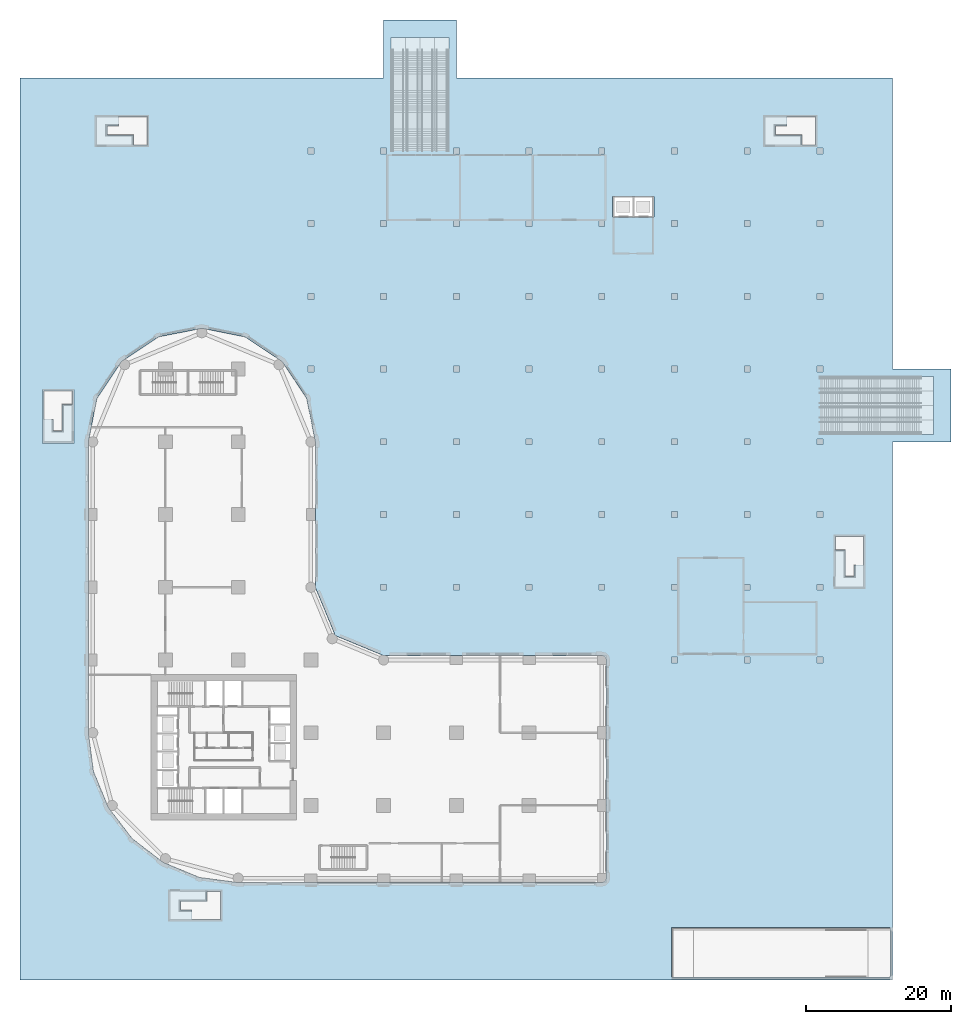
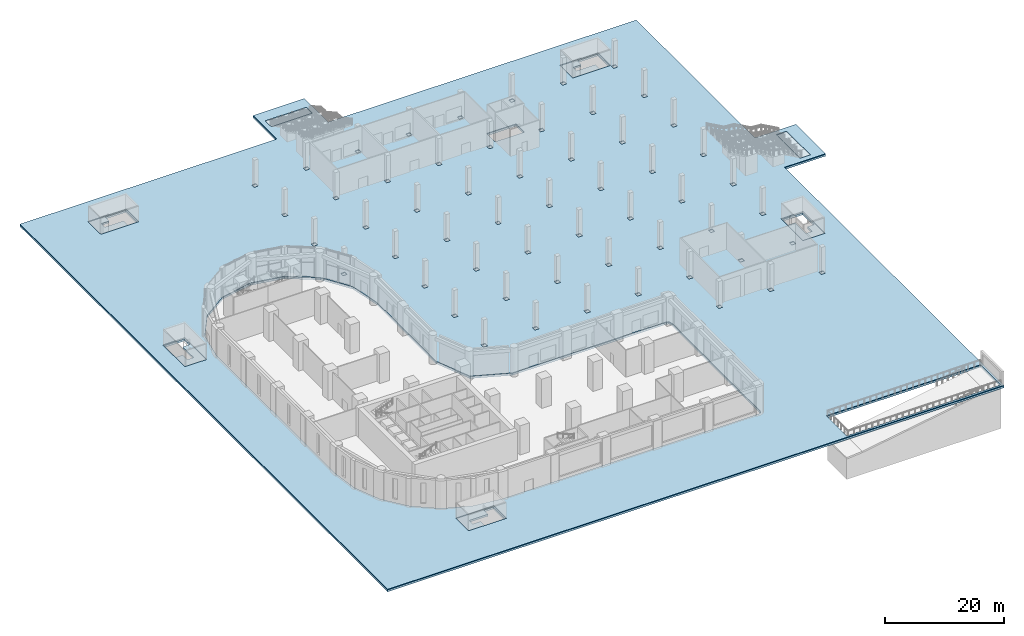
# One storey, part 5 of 21: 2 slabs.
"""IFC4 building model written with IfcOpenShell, lengths in metres."""

from ifc_helpers import new_model, si_unit, direction, frame, origin, place, context, subcontext, project, spatial, polyline, outline, extrude, material, layer, layer_set, type_object, element, save


model = new_model("IFC4")

# Units and contexts
model_context = context("Model", 3, precision=1e-05, world=origin(), true_north=direction((0.0, 1.0)))
body_context = subcontext(model_context, "Body", "Model", "MODEL_VIEW")
ifc_project = project(units=[si_unit("LENGTHUNIT", "METRE"), si_unit("AREAUNIT", "SQUARE_METRE"), si_unit("VOLUMEUNIT", "CUBIC_METRE"), si_unit("PLANEANGLEUNIT", "RADIAN"), si_unit("MASSUNIT", "GRAM", prefix="KILO")], contexts=[model_context])

# Site, building, storey
site_placement = place(None, origin())
site = spatial("IfcSite", under=ifc_project, at=site_placement, CompositionType="ELEMENT")
building_placement = place(site_placement, origin())
building = spatial("IfcBuilding", under=site, at=building_placement, Name="Qaws Garden Tower", CompositionType="ELEMENT")
storey_placement = place(building_placement, origin())
storey = spatial("IfcBuildingStorey", under=building, at=storey_placement, Name="L00", CompositionType="ELEMENT", Elevation=0.0)

# Slabs
ifc_material_1 = material(Name="Concrete C40", Category="concrete")
ifc_layer_1 = layer(ifc_material_1, 0.39990234375)
ifc_layer_set_1 = layer_set([ifc_layer_1], Name="Concrete C40")
slab_type_1 = type_object("IfcSlabType", Name="Ground slab 400", PredefinedType="FLOOR", material=ifc_layer_set_1)
slab_1_placement = place(storey_placement, frame((0.0, 0.0, -0.5)))
element("IfcSlab", 1, at=slab_1_placement, inside=storey, type_object=slab_type_1, Name="Ground slab", PredefinedType="FLOOR", context=body_context, shape_type="SweptSolid", body=[
    extrude(outline(polyline([(-10.0, -14.0), (110.0, -14.0), (110.0, 60.0), (118.0, 60.0), (118.0, 70.0), (110.0, 70.0), (110.0, 110.0), (50.0, 110.0), (50.0, 118.0), (40.0, 118.0), (40.0, 110.0), (-10.0, 110.0), (-10.0, -14.0)]), holes=[polyline([(79.60009765625, -6.800048828125), (79.60009765625, -13.60009765625), (109.60009765625, -13.60009765625), (109.60009765625, -6.800048828125), (79.60009765625, -6.800048828125)]), polyline([(13.659912109375, -5.699951171875), (15.739990234375, -5.699951171875), (17.60009765625, -5.699951171875), (17.60009765625, -4.39990234375), (17.60009765625, -3.199951171875), (17.60009765625, -1.800048828125), (15.739990234375, -1.800048828125), (15.739990234375, -3.199951171875), (12.10009765625, -3.199951171875), (12.10009765625, -4.39990234375), (13.659912109375, -4.39990234375), (13.659912109375, -5.699951171875)]), polyline([(-0.60009765625, 20.0), (0.101806640625, 14.668212890625), (2.159912109375, 9.699951171875), (5.43359375, 5.43359375), (9.699951171875, 2.159912109375), (14.668212890625, 0.101806640625), (20.0, -0.60009765625), (30.60009765625, -0.60009765625), (70.0, -0.60009765625), (70.42431640625, -0.42431640625), (70.60009765625, 0.0), (70.60009765625, 30.0), (70.42431640625, 30.42431640625), (70.0, 30.60009765625), (40.0, 30.60009765625), (33.353271484375, 33.353271484375), (30.60009765625, 40.0), (30.60009765625, 60.0), (29.41259765625, 65.969970703125), (26.031005859375, 71.031005859375), (20.969970703125, 74.41259765625), (15.0, 75.60009765625), (9.030029296875, 74.41259765625), (3.968994140625, 71.031005859375), (0.58740234375, 65.969970703125), (-0.60009765625, 60.0), (-0.60009765625, 60.0), (-0.60009765625, 30.60009765625), (-0.60009765625, 20.0)]), polyline([(102.10009765625, 47.0), (102.10009765625, 45.139892578125), (103.5, 45.139892578125), (103.5, 41.5), (104.699951171875, 41.5), (104.699951171875, 43.06005859375), (106.0, 43.06005859375), (106.0, 45.139892578125), (106.0, 47.0), (104.699951171875, 47.0), (103.5, 47.0), (102.10009765625, 47.0)]), polyline([(-5.39990234375, 63.06005859375), (-5.39990234375, 61.5), (-4.199951171875, 61.5), (-4.199951171875, 65.139892578125), (-2.800048828125, 65.139892578125), (-2.800048828125, 67.0), (-4.199951171875, 67.0), (-5.39990234375, 67.0), (-6.699951171875, 67.0), (-6.699951171875, 65.139892578125), (-6.699951171875, 63.06005859375), (-5.39990234375, 63.06005859375)]), polyline([(71.5, 93.699951171875), (71.5, 90.89990234375), (77.14990234375, 90.89990234375), (77.14990234375, 93.699951171875), (71.5, 93.699951171875)]), polyline([(5.639892578125, 102.199951171875), (5.639892578125, 100.800048828125), (7.5, 100.800048828125), (7.5, 102.199951171875), (7.5, 103.39990234375), (7.5, 104.699951171875), (5.639892578125, 104.699951171875), (3.56005859375, 104.699951171875), (3.56005859375, 103.39990234375), (2.0, 103.39990234375), (2.0, 102.199951171875), (5.639892578125, 102.199951171875)]), polyline([(97.5400390625, 102.199951171875), (97.5400390625, 100.800048828125), (99.39990234375, 100.800048828125), (99.39990234375, 102.199951171875), (99.39990234375, 103.39990234375), (99.39990234375, 104.699951171875), (97.5400390625, 104.699951171875), (95.4599609375, 104.699951171875), (95.4599609375, 103.39990234375), (93.89990234375, 103.39990234375), (93.89990234375, 102.199951171875), (97.5400390625, 102.199951171875)])]), origin(), (0.0, 0.0, 1.0), 0.39990234375),
])
ifc_material_2 = material(Name="Granite paving", Category="masonry")
ifc_layer_2 = layer(ifc_material_2, 0.10009765625)
ifc_layer_set_2 = layer_set([ifc_layer_2], Name="Granite paving")
slab_type_2 = type_object("IfcSlabType", Name="Paving 100", PredefinedType="FLOOR", material=ifc_layer_set_2)
slab_2_placement = place(storey_placement, frame((0.0, 0.0, -0.10009765625)))
element("IfcSlab", 2, at=slab_2_placement, inside=storey, type_object=slab_type_2, Name="Street paving", PredefinedType="FLOOR", context=body_context, shape_type="SweptSolid", body=[
    extrude(outline(polyline([(-10.0, -14.0), (110.0, -14.0), (110.0, 60.0), (118.0, 60.0), (118.0, 70.0), (110.0, 70.0), (110.0, 110.0), (50.0, 110.0), (50.0, 118.0), (40.0, 118.0), (40.0, 110.0), (-10.0, 110.0), (-10.0, -14.0)]), holes=[polyline([(79.60009765625, -13.60009765625), (109.60009765625, -13.60009765625), (109.60009765625, -6.800048828125), (79.60009765625, -6.800048828125), (79.60009765625, -13.60009765625)]), polyline([(70.42431640625, -0.42431640625), (70.60009765625, 0.0), (70.60009765625, 30.0), (70.42431640625, 30.42431640625), (70.0, 30.60009765625), (40.0, 30.60009765625), (33.353271484375, 33.353271484375), (30.60009765625, 40.0), (30.60009765625, 60.0), (29.41259765625, 65.969970703125), (26.031005859375, 71.031005859375), (20.969970703125, 74.41259765625), (15.0, 75.60009765625), (9.030029296875, 74.41259765625), (3.968994140625, 71.031005859375), (0.58740234375, 65.969970703125), (-0.60009765625, 60.0), (-0.60009765625, 60.0), (-0.60009765625, 30.60009765625), (-0.60009765625, 20.0), (0.101806640625, 14.668212890625), (2.159912109375, 9.699951171875), (5.43359375, 5.43359375), (9.699951171875, 2.159912109375), (14.668212890625, 0.101806640625), (20.0, -0.60009765625), (30.60009765625, -0.60009765625), (70.0, -0.60009765625), (70.42431640625, -0.42431640625)]), polyline([(71.5, 90.89990234375), (77.14990234375, 90.89990234375), (77.14990234375, 93.699951171875), (71.5, 93.699951171875), (71.5, 90.89990234375)]), polyline([(17.800048828125, -1.60009765625), (10.39990234375, -1.60009765625), (10.39990234375, -5.89990234375), (17.800048828125, -5.89990234375), (17.800048828125, -1.60009765625)]), polyline([(39.60009765625, 39.60009765625), (40.39990234375, 39.60009765625), (40.39990234375, 40.39990234375), (39.60009765625, 40.39990234375), (39.60009765625, 39.60009765625)]), polyline([(49.60009765625, 39.60009765625), (50.39990234375, 39.60009765625), (50.39990234375, 40.39990234375), (49.60009765625, 40.39990234375), (49.60009765625, 39.60009765625)]), polyline([(39.60009765625, 49.60009765625), (40.39990234375, 49.60009765625), (40.39990234375, 50.39990234375), (39.60009765625, 50.39990234375), (39.60009765625, 49.60009765625)]), polyline([(49.60009765625, 49.60009765625), (50.39990234375, 49.60009765625), (50.39990234375, 50.39990234375), (49.60009765625, 50.39990234375), (49.60009765625, 49.60009765625)]), polyline([(49.60009765625, 59.60009765625), (50.39990234375, 59.60009765625), (50.39990234375, 60.39990234375), (49.60009765625, 60.39990234375), (49.60009765625, 59.60009765625)]), polyline([(39.60009765625, 59.60009765625), (40.39990234375, 59.60009765625), (40.39990234375, 60.39990234375), (39.60009765625, 60.39990234375), (39.60009765625, 59.60009765625)]), polyline([(-6.89990234375, 67.199951171875), (-6.89990234375, 59.800048828125), (-2.60009765625, 59.800048828125), (-2.60009765625, 67.199951171875), (-6.89990234375, 67.199951171875)]), polyline([(29.60009765625, 69.60009765625), (30.39990234375, 69.60009765625), (30.39990234375, 70.39990234375), (29.60009765625, 70.39990234375), (29.60009765625, 69.60009765625)]), polyline([(39.60009765625, 69.60009765625), (40.39990234375, 69.60009765625), (40.39990234375, 70.39990234375), (39.60009765625, 70.39990234375), (39.60009765625, 69.60009765625)]), polyline([(49.60009765625, 69.60009765625), (50.39990234375, 69.60009765625), (50.39990234375, 70.39990234375), (49.60009765625, 70.39990234375), (49.60009765625, 69.60009765625)]), polyline([(29.60009765625, 79.60009765625), (30.39990234375, 79.60009765625), (30.39990234375, 80.39990234375), (29.60009765625, 80.39990234375), (29.60009765625, 79.60009765625)]), polyline([(49.60009765625, 79.60009765625), (50.39990234375, 79.60009765625), (50.39990234375, 80.39990234375), (49.60009765625, 80.39990234375), (49.60009765625, 79.60009765625)]), polyline([(39.60009765625, 79.60009765625), (40.39990234375, 79.60009765625), (40.39990234375, 80.39990234375), (39.60009765625, 80.39990234375), (39.60009765625, 79.60009765625)]), polyline([(49.60009765625, 89.60009765625), (50.39990234375, 89.60009765625), (50.39990234375, 90.39990234375), (49.60009765625, 90.39990234375), (49.60009765625, 89.60009765625)]), polyline([(40.39990234375, 89.60009765625), (40.39990234375, 90.39990234375), (39.60009765625, 90.39990234375), (39.60009765625, 89.60009765625), (40.39990234375, 89.60009765625)]), polyline([(29.60009765625, 89.60009765625), (30.39990234375, 89.60009765625), (30.39990234375, 90.39990234375), (29.60009765625, 90.39990234375), (29.60009765625, 89.60009765625)]), polyline([(39.60009765625, 99.60009765625), (40.39990234375, 99.60009765625), (40.39990234375, 100.39990234375), (39.60009765625, 100.39990234375), (39.60009765625, 99.60009765625)]), polyline([(49.60009765625, 99.60009765625), (50.39990234375, 99.60009765625), (50.39990234375, 100.39990234375), (49.60009765625, 100.39990234375), (49.60009765625, 99.60009765625)]), polyline([(29.60009765625, 99.60009765625), (30.39990234375, 99.60009765625), (30.39990234375, 100.39990234375), (29.60009765625, 100.39990234375), (29.60009765625, 99.60009765625)]), polyline([(7.699951171875, 104.89990234375), (0.300048828125, 104.89990234375), (0.300048828125, 100.60009765625), (7.699951171875, 100.60009765625), (7.699951171875, 104.89990234375)]), polyline([(79.60009765625, 29.60009765625), (80.39990234375, 29.60009765625), (80.39990234375, 30.39990234375), (79.60009765625, 30.39990234375), (79.60009765625, 29.60009765625)]), polyline([(79.60009765625, 39.60009765625), (80.39990234375, 39.60009765625), (80.39990234375, 40.39990234375), (79.60009765625, 40.39990234375), (79.60009765625, 39.60009765625)]), polyline([(59.60009765625, 39.60009765625), (60.39990234375, 39.60009765625), (60.39990234375, 40.39990234375), (59.60009765625, 40.39990234375), (59.60009765625, 39.60009765625)]), polyline([(69.60009765625, 39.60009765625), (70.39990234375, 39.60009765625), (70.39990234375, 40.39990234375), (69.60009765625, 40.39990234375), (69.60009765625, 39.60009765625)]), polyline([(69.60009765625, 49.60009765625), (70.39990234375, 49.60009765625), (70.39990234375, 50.39990234375), (69.60009765625, 50.39990234375), (69.60009765625, 49.60009765625)]), polyline([(79.60009765625, 49.60009765625), (80.39990234375, 49.60009765625), (80.39990234375, 50.39990234375), (79.60009765625, 50.39990234375), (79.60009765625, 49.60009765625)]), polyline([(59.60009765625, 49.60009765625), (60.39990234375, 49.60009765625), (60.39990234375, 50.39990234375), (59.60009765625, 50.39990234375), (59.60009765625, 49.60009765625)]), polyline([(59.60009765625, 59.60009765625), (60.39990234375, 59.60009765625), (60.39990234375, 60.39990234375), (59.60009765625, 60.39990234375), (59.60009765625, 59.60009765625)]), polyline([(69.60009765625, 59.60009765625), (70.39990234375, 59.60009765625), (70.39990234375, 60.39990234375), (69.60009765625, 60.39990234375), (69.60009765625, 59.60009765625)]), polyline([(80.39990234375, 59.60009765625), (80.39990234375, 60.39990234375), (79.60009765625, 60.39990234375), (79.60009765625, 59.60009765625), (80.39990234375, 59.60009765625)]), polyline([(69.60009765625, 69.60009765625), (70.39990234375, 69.60009765625), (70.39990234375, 70.39990234375), (69.60009765625, 70.39990234375), (69.60009765625, 69.60009765625)]), polyline([(59.60009765625, 69.60009765625), (60.39990234375, 69.60009765625), (60.39990234375, 70.39990234375), (59.60009765625, 70.39990234375), (59.60009765625, 69.60009765625)]), polyline([(79.60009765625, 69.60009765625), (80.39990234375, 69.60009765625), (80.39990234375, 70.39990234375), (79.60009765625, 70.39990234375), (79.60009765625, 69.60009765625)]), polyline([(69.60009765625, 79.60009765625), (70.39990234375, 79.60009765625), (70.39990234375, 80.39990234375), (69.60009765625, 80.39990234375), (69.60009765625, 79.60009765625)]), polyline([(59.60009765625, 79.60009765625), (60.39990234375, 79.60009765625), (60.39990234375, 80.39990234375), (59.60009765625, 80.39990234375), (59.60009765625, 79.60009765625)]), polyline([(59.60009765625, 89.60009765625), (60.39990234375, 89.60009765625), (60.39990234375, 90.39990234375), (59.60009765625, 90.39990234375), (59.60009765625, 89.60009765625)]), polyline([(69.60009765625, 89.60009765625), (70.39990234375, 89.60009765625), (70.39990234375, 90.39990234375), (69.60009765625, 90.39990234375), (69.60009765625, 89.60009765625)]), polyline([(79.60009765625, 89.60009765625), (80.39990234375, 89.60009765625), (80.39990234375, 90.39990234375), (79.60009765625, 90.39990234375), (79.60009765625, 89.60009765625)]), polyline([(69.60009765625, 99.60009765625), (70.39990234375, 99.60009765625), (70.39990234375, 100.39990234375), (69.60009765625, 100.39990234375), (69.60009765625, 99.60009765625)]), polyline([(79.60009765625, 99.60009765625), (80.39990234375, 99.60009765625), (80.39990234375, 100.39990234375), (79.60009765625, 100.39990234375), (79.60009765625, 99.60009765625)]), polyline([(59.60009765625, 99.60009765625), (60.39990234375, 99.60009765625), (60.39990234375, 100.39990234375), (59.60009765625, 100.39990234375), (59.60009765625, 99.60009765625)]), polyline([(89.60009765625, 29.60009765625), (90.39990234375, 29.60009765625), (90.39990234375, 30.39990234375), (89.60009765625, 30.39990234375), (89.60009765625, 29.60009765625)]), polyline([(99.60009765625, 29.60009765625), (100.39990234375, 29.60009765625), (100.39990234375, 30.39990234375), (99.60009765625, 30.39990234375), (99.60009765625, 29.60009765625)]), polyline([(89.60009765625, 39.60009765625), (90.39990234375, 39.60009765625), (90.39990234375, 40.39990234375), (89.60009765625, 40.39990234375), (89.60009765625, 39.60009765625)]), polyline([(99.60009765625, 39.60009765625), (100.39990234375, 39.60009765625), (100.39990234375, 40.39990234375), (99.60009765625, 40.39990234375), (99.60009765625, 39.60009765625)]), polyline([(106.199951171875, 47.199951171875), (101.89990234375, 47.199951171875), (101.89990234375, 39.800048828125), (106.199951171875, 39.800048828125), (106.199951171875, 47.199951171875)]), polyline([(99.60009765625, 49.60009765625), (100.39990234375, 49.60009765625), (100.39990234375, 50.39990234375), (99.60009765625, 50.39990234375), (99.60009765625, 49.60009765625)]), polyline([(89.60009765625, 49.60009765625), (90.39990234375, 49.60009765625), (90.39990234375, 50.39990234375), (89.60009765625, 50.39990234375), (89.60009765625, 49.60009765625)]), polyline([(89.60009765625, 59.60009765625), (90.39990234375, 59.60009765625), (90.39990234375, 60.39990234375), (89.60009765625, 60.39990234375), (89.60009765625, 59.60009765625)]), polyline([(99.60009765625, 59.60009765625), (100.39990234375, 59.60009765625), (100.39990234375, 60.39990234375), (99.60009765625, 60.39990234375), (99.60009765625, 59.60009765625)]), polyline([(89.60009765625, 69.60009765625), (90.39990234375, 69.60009765625), (90.39990234375, 70.39990234375), (89.60009765625, 70.39990234375), (89.60009765625, 69.60009765625)]), polyline([(99.60009765625, 69.60009765625), (100.39990234375, 69.60009765625), (100.39990234375, 70.39990234375), (99.60009765625, 70.39990234375), (99.60009765625, 69.60009765625)]), polyline([(89.60009765625, 79.60009765625), (90.39990234375, 79.60009765625), (90.39990234375, 80.39990234375), (89.60009765625, 80.39990234375), (89.60009765625, 79.60009765625)]), polyline([(99.60009765625, 79.60009765625), (100.39990234375, 79.60009765625), (100.39990234375, 80.39990234375), (99.60009765625, 80.39990234375), (99.60009765625, 79.60009765625)]), polyline([(79.60009765625, 79.60009765625), (80.39990234375, 79.60009765625), (80.39990234375, 80.39990234375), (79.60009765625, 80.39990234375), (79.60009765625, 79.60009765625)]), polyline([(89.60009765625, 89.60009765625), (90.39990234375, 89.60009765625), (90.39990234375, 90.39990234375), (89.60009765625, 90.39990234375), (89.60009765625, 89.60009765625)]), polyline([(99.60009765625, 89.60009765625), (100.39990234375, 89.60009765625), (100.39990234375, 90.39990234375), (99.60009765625, 90.39990234375), (99.60009765625, 89.60009765625)]), polyline([(89.60009765625, 99.60009765625), (90.39990234375, 99.60009765625), (90.39990234375, 100.39990234375), (89.60009765625, 100.39990234375), (89.60009765625, 99.60009765625)]), polyline([(99.60009765625, 99.60009765625), (100.39990234375, 99.60009765625), (100.39990234375, 100.39990234375), (99.60009765625, 100.39990234375), (99.60009765625, 99.60009765625)]), polyline([(99.60009765625, 104.89990234375), (92.199951171875, 104.89990234375), (92.199951171875, 100.60009765625), (99.60009765625, 100.60009765625), (99.60009765625, 104.89990234375)]), polyline([(45.0, 113.60009765625), (47.0, 113.60009765625), (49.0, 113.60009765625), (49.0, 115.60009765625), (47.0, 115.60009765625), (45.0, 115.60009765625), (43.0, 115.60009765625), (41.0, 115.60009765625), (41.0, 113.60009765625), (43.0, 113.60009765625), (45.0, 113.60009765625)]), polyline([(115.60009765625, 67.0), (115.60009765625, 69.0), (113.60009765625, 69.0), (113.60009765625, 67.0), (113.60009765625, 65.0), (113.60009765625, 63.0), (113.60009765625, 61.0), (115.60009765625, 61.0), (115.60009765625, 63.0), (115.60009765625, 65.0), (115.60009765625, 67.0)])]), origin(), (0.0, 0.0, 1.0), 0.10009765625),
])

save(model, "model.ifc")
